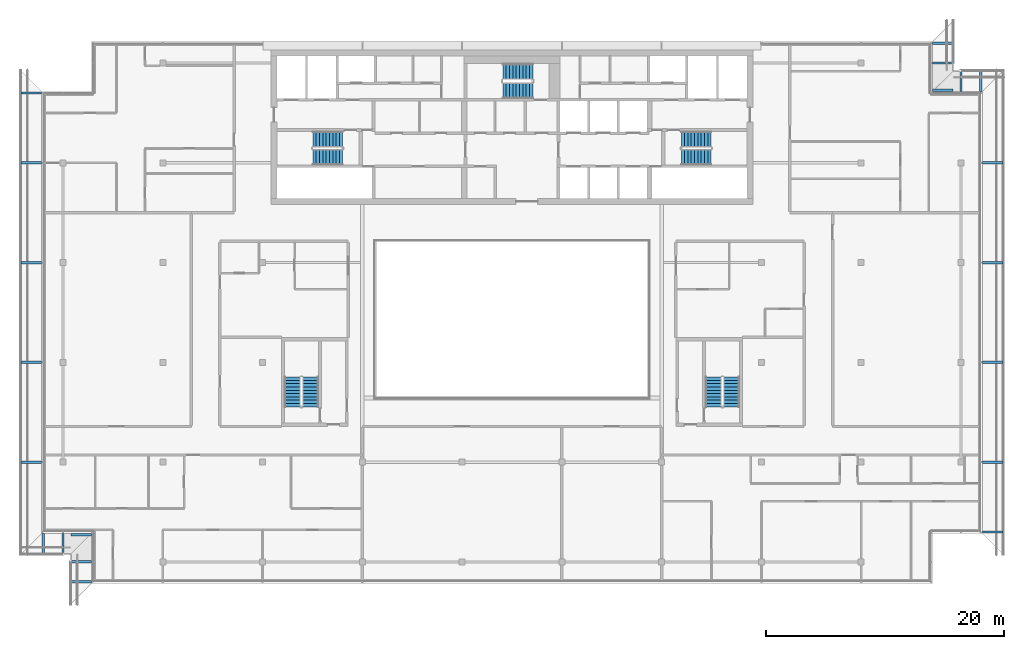
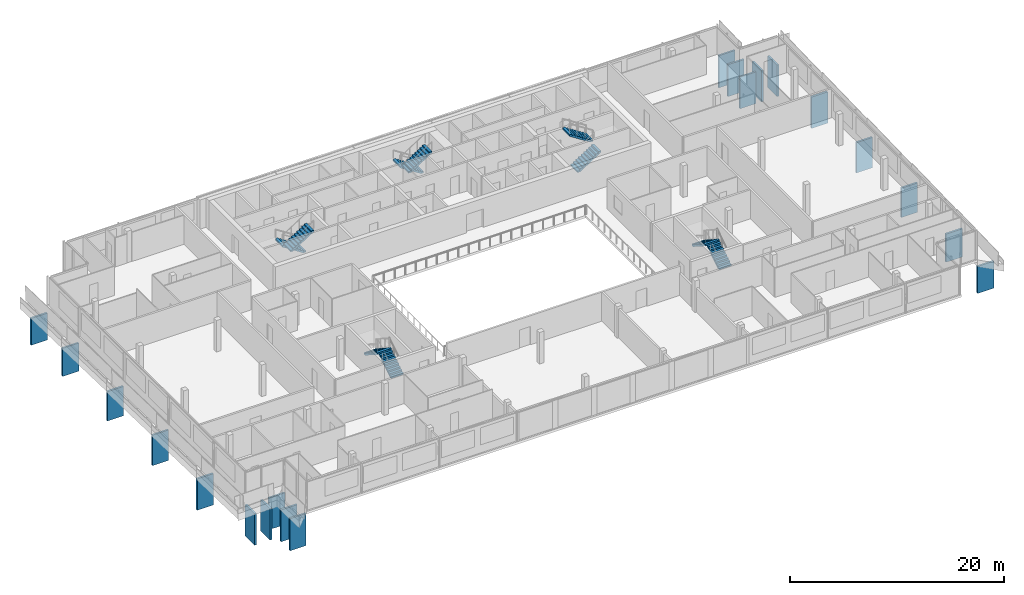
# One storey, part 22 of 27: 20 discrete accessories, 10 stair flights, 5 elements without a shape of their own.
"""IFC4 building model written with IfcOpenShell, lengths in metres."""

from ifc_helpers import new_model, si_unit, direction, frame, origin, origin_2d, place, context, subcontext, project, spatial, polyline, rectangle, outline, extrude, material, type_object, element, aggregate, save


model = new_model("IFC4")

# Units and contexts
model_context = context("Model", 3, precision=1e-05, world=origin(), true_north=direction((0.0, 1.0)))
body_context = subcontext(model_context, "Body", "Model", "MODEL_VIEW")
ifc_project = project(units=[si_unit("LENGTHUNIT", "METRE"), si_unit("AREAUNIT", "SQUARE_METRE"), si_unit("VOLUMEUNIT", "CUBIC_METRE"), si_unit("PLANEANGLEUNIT", "RADIAN"), si_unit("MASSUNIT", "GRAM", prefix="KILO")], contexts=[model_context])

# Site, building, storey
site_placement = place(None, origin())
site = spatial("IfcSite", under=ifc_project, at=site_placement, CompositionType="ELEMENT")
building_placement = place(site_placement, origin())
building = spatial("IfcBuilding", under=site, at=building_placement, Name="Saffron Gate Tower", CompositionType="ELEMENT")
storey_placement = place(building_placement, frame((0.0, 0.0, 267.14990234375)))
storey = spatial("IfcBuildingStorey", under=building, at=storey_placement, Name="L64", CompositionType="ELEMENT", Elevation=267.14990234375)

# Stair, stair flights
ifc_material = material(Name="Concrete C40", Category="concrete")
stair_type = type_object("IfcStairType", Name="ST7 Stair 1350 wide, 20 risers of 180", PredefinedType="HALF_TURN_STAIR", material=ifc_material)
stair_1_placement = place(storey_placement, origin())
stair_1 = element("IfcStair", 1, at=stair_1_placement, inside=storey, type_object=stair_type, Name="L64 Exit stair A", PredefinedType="HALF_TURN_STAIR")
stair_flight_type = type_object("IfcStairFlightType", Name="SF3 Stair flight 1350 wide, riser 180 going 280", PredefinedType="STRAIGHT", material=ifc_material)
stair_flight_1_placement = place(storey_placement, frame((73.35009765625, 67.375, 0.0), z_axis=(0.0, 0.0, 1.0), x_axis=(-1.0, 0.0, 0.0)))
stair_flight_1 = element("IfcStairFlight", 2, at=stair_flight_1_placement, type_object=stair_flight_type, Name="ST-A flight 1", NumberOfRisers=10, NumberOfTreads=9, PredefinedType="STRAIGHT", RiserHeight=0.18, TreadLength=0.28, context=body_context, shape_type="SweptSolid", body=[
    extrude(outline(polyline([(0.0, 0.0), (0.0, 0.179931640625), (0.280029296875, 0.179931640625), (0.280029296875, 0.360107421875), (0.56005859375, 0.360107421875), (0.56005859375, 0.5400390625), (0.840087890625, 0.5400390625), (0.840087890625, 0.719970703125), (1.1201171875, 0.719970703125), (1.1201171875, 0.89990234375), (1.39990234375, 0.89990234375), (1.39990234375, 1.080078125), (1.679931640625, 1.080078125), (1.679931640625, 1.260009765625), (1.9599609375, 1.260009765625), (1.9599609375, 1.43994140625), (2.239990234375, 1.43994140625), (2.239990234375, 1.6201171875), (2.52001953125, 1.6201171875), (2.52001953125, 1.800048828125), (2.52001953125, 1.44189453125), (0.277099609375, 0.0), (0.0, 0.0)])), frame((0.0, 0.675048828125, 0.0), z_axis=(0.0, -1.0, 0.0), x_axis=(1.0, 0.0, 0.0)), (0.0, 0.0, 1.0), 1.35009765625),
])
stair_flight_2_placement = place(storey_placement, frame((70.830078125, 65.875, 1.800048828125), z_axis=(0.0, 0.0, 1.0), x_axis=(1.0, 0.0, 0.0)))
stair_flight_2 = element("IfcStairFlight", 3, at=stair_flight_2_placement, type_object=stair_flight_type, Name="ST-A flight 2", NumberOfRisers=10, NumberOfTreads=9, PredefinedType="STRAIGHT", RiserHeight=0.18, TreadLength=0.28, context=body_context, shape_type="SweptSolid", body=[
    extrude(outline(polyline([(0.0, 0.0), (0.0, 0.179931640625), (0.280029296875, 0.179931640625), (0.280029296875, 0.360107421875), (0.56005859375, 0.360107421875), (0.56005859375, 0.5400390625), (0.840087890625, 0.5400390625), (0.840087890625, 0.719970703125), (1.1201171875, 0.719970703125), (1.1201171875, 0.89990234375), (1.39990234375, 0.89990234375), (1.39990234375, 1.080078125), (1.679931640625, 1.080078125), (1.679931640625, 1.260009765625), (1.9599609375, 1.260009765625), (1.9599609375, 1.43994140625), (2.239990234375, 1.43994140625), (2.239990234375, 1.6201171875), (2.52001953125, 1.6201171875), (2.52001953125, 1.800048828125), (2.52001953125, 1.44189453125), (0.277099609375, 0.0), (0.0, 0.0)])), frame((0.0, 0.675048828125, 0.0), z_axis=(0.0, -1.0, 0.0), x_axis=(1.0, 0.0, 0.0)), (0.0, 0.0, 1.0), 1.35009765625),
])
aggregate(stair_1, [stair_flight_1, stair_flight_2])

stair_2_placement = place(storey_placement, origin())
stair_2 = element("IfcStair", 4, at=stair_2_placement, inside=storey, type_object=stair_type, Name="L64 Exit stair B", PredefinedType="HALF_TURN_STAIR")
stair_flight_3_placement = place(storey_placement, frame((101.85009765625, 65.875, 0.0), z_axis=(0.0, 0.0, 1.0), x_axis=(1.0, 0.0, 0.0)))
stair_flight_3 = element("IfcStairFlight", 5, at=stair_flight_3_placement, type_object=stair_flight_type, Name="ST-B flight 1", NumberOfRisers=10, NumberOfTreads=9, PredefinedType="STRAIGHT", RiserHeight=0.18, TreadLength=0.28, context=body_context, shape_type="SweptSolid", body=[
    extrude(outline(polyline([(0.0, 0.0), (0.0, 0.179931640625), (0.280029296875, 0.179931640625), (0.280029296875, 0.360107421875), (0.56005859375, 0.360107421875), (0.56005859375, 0.5400390625), (0.840087890625, 0.5400390625), (0.840087890625, 0.719970703125), (1.1201171875, 0.719970703125), (1.1201171875, 0.89990234375), (1.39990234375, 0.89990234375), (1.39990234375, 1.080078125), (1.679931640625, 1.080078125), (1.679931640625, 1.260009765625), (1.9599609375, 1.260009765625), (1.9599609375, 1.43994140625), (2.239990234375, 1.43994140625), (2.239990234375, 1.6201171875), (2.52001953125, 1.6201171875), (2.52001953125, 1.800048828125), (2.52001953125, 1.44189453125), (0.277099609375, 0.0), (0.0, 0.0)])), frame((0.0, 0.675048828125, 0.0), z_axis=(0.0, -1.0, 0.0), x_axis=(1.0, 0.0, 0.0)), (0.0, 0.0, 1.0), 1.35009765625),
])
stair_flight_4_placement = place(storey_placement, frame((104.3701171875, 67.375, 1.800048828125), z_axis=(0.0, 0.0, 1.0), x_axis=(-1.0, 0.0, 0.0)))
stair_flight_4 = element("IfcStairFlight", 6, at=stair_flight_4_placement, type_object=stair_flight_type, Name="ST-B flight 2", NumberOfRisers=10, NumberOfTreads=9, PredefinedType="STRAIGHT", RiserHeight=0.18, TreadLength=0.28, context=body_context, shape_type="SweptSolid", body=[
    extrude(outline(polyline([(0.0, 0.0), (0.0, 0.179931640625), (0.280029296875, 0.179931640625), (0.280029296875, 0.360107421875), (0.56005859375, 0.360107421875), (0.56005859375, 0.5400390625), (0.840087890625, 0.5400390625), (0.840087890625, 0.719970703125), (1.1201171875, 0.719970703125), (1.1201171875, 0.89990234375), (1.39990234375, 0.89990234375), (1.39990234375, 1.080078125), (1.679931640625, 1.080078125), (1.679931640625, 1.260009765625), (1.9599609375, 1.260009765625), (1.9599609375, 1.43994140625), (2.239990234375, 1.43994140625), (2.239990234375, 1.6201171875), (2.52001953125, 1.6201171875), (2.52001953125, 1.800048828125), (2.52001953125, 1.44189453125), (0.277099609375, 0.0), (0.0, 0.0)])), frame((0.0, 0.675048828125, 0.0), z_axis=(0.0, -1.0, 0.0), x_axis=(1.0, 0.0, 0.0)), (0.0, 0.0, 1.0), 1.35009765625),
])
aggregate(stair_2, [stair_flight_3, stair_flight_4])

stair_3_placement = place(storey_placement, origin())
stair_3 = element("IfcStair", 7, at=stair_3_placement, inside=storey, type_object=stair_type, Name="L64 Exit stair C", PredefinedType="HALF_TURN_STAIR")
stair_flight_5_placement = place(storey_placement, frame((89.35009765625, 73.074951171875, 0.0), z_axis=(0.0, 0.0, 1.0), x_axis=(-1.0, 0.0, 0.0)))
stair_flight_5 = element("IfcStairFlight", 8, at=stair_flight_5_placement, type_object=stair_flight_type, Name="ST-C flight 1", NumberOfRisers=10, NumberOfTreads=9, PredefinedType="STRAIGHT", RiserHeight=0.18, TreadLength=0.28, context=body_context, shape_type="SweptSolid", body=[
    extrude(outline(polyline([(0.0, 0.0), (0.0, 0.179931640625), (0.280029296875, 0.179931640625), (0.280029296875, 0.360107421875), (0.56005859375, 0.360107421875), (0.56005859375, 0.5400390625), (0.840087890625, 0.5400390625), (0.840087890625, 0.719970703125), (1.1201171875, 0.719970703125), (1.1201171875, 0.89990234375), (1.39990234375, 0.89990234375), (1.39990234375, 1.080078125), (1.679931640625, 1.080078125), (1.679931640625, 1.260009765625), (1.9599609375, 1.260009765625), (1.9599609375, 1.43994140625), (2.239990234375, 1.43994140625), (2.239990234375, 1.6201171875), (2.52001953125, 1.6201171875), (2.52001953125, 1.800048828125), (2.52001953125, 1.44189453125), (0.277099609375, 0.0), (0.0, 0.0)])), frame((0.0, 0.675048828125, 0.0), z_axis=(0.0, -1.0, 0.0), x_axis=(1.0, 0.0, 0.0)), (0.0, 0.0, 1.0), 1.35009765625),
])
stair_flight_6_placement = place(storey_placement, frame((86.830078125, 71.47509765625, 1.800048828125), z_axis=(0.0, 0.0, 1.0), x_axis=(1.0, 0.0, 0.0)))
stair_flight_6 = element("IfcStairFlight", 9, at=stair_flight_6_placement, type_object=stair_flight_type, Name="ST-C flight 2", NumberOfRisers=10, NumberOfTreads=9, PredefinedType="STRAIGHT", RiserHeight=0.18, TreadLength=0.28, context=body_context, shape_type="SweptSolid", body=[
    extrude(outline(polyline([(0.0, 0.0), (0.0, 0.179931640625), (0.280029296875, 0.179931640625), (0.280029296875, 0.360107421875), (0.56005859375, 0.360107421875), (0.56005859375, 0.5400390625), (0.840087890625, 0.5400390625), (0.840087890625, 0.719970703125), (1.1201171875, 0.719970703125), (1.1201171875, 0.89990234375), (1.39990234375, 0.89990234375), (1.39990234375, 1.080078125), (1.679931640625, 1.080078125), (1.679931640625, 1.260009765625), (1.9599609375, 1.260009765625), (1.9599609375, 1.43994140625), (2.239990234375, 1.43994140625), (2.239990234375, 1.6201171875), (2.52001953125, 1.6201171875), (2.52001953125, 1.800048828125), (2.52001953125, 1.44189453125), (0.277099609375, 0.0), (0.0, 0.0)])), frame((0.0, 0.675048828125, 0.0), z_axis=(0.0, -1.0, 0.0), x_axis=(1.0, 0.0, 0.0)), (0.0, 0.0, 1.0), 1.35009765625),
])
aggregate(stair_3, [stair_flight_5, stair_flight_6])

stair_4_placement = place(storey_placement, origin())
stair_4 = element("IfcStair", 10, at=stair_4_placement, inside=storey, type_object=stair_type, Name="L64 Exit stair D", PredefinedType="HALF_TURN_STAIR")
stair_flight_7_placement = place(storey_placement, frame((70.625, 44.85009765625, 0.0), z_axis=(0.0, 0.0, 1.0), x_axis=(0.0, 1.0, 0.0)))
stair_flight_7 = element("IfcStairFlight", 11, at=stair_flight_7_placement, type_object=stair_flight_type, Name="ST-D flight 1", NumberOfRisers=10, NumberOfTreads=9, PredefinedType="STRAIGHT", RiserHeight=0.18, TreadLength=0.28, context=body_context, shape_type="SweptSolid", body=[
    extrude(outline(polyline([(0.0, 0.0), (0.0, 0.179931640625), (0.280029296875, 0.179931640625), (0.280029296875, 0.360107421875), (0.56005859375, 0.360107421875), (0.56005859375, 0.5400390625), (0.840087890625, 0.5400390625), (0.840087890625, 0.719970703125), (1.1201171875, 0.719970703125), (1.1201171875, 0.89990234375), (1.39990234375, 0.89990234375), (1.39990234375, 1.080078125), (1.679931640625, 1.080078125), (1.679931640625, 1.260009765625), (1.9599609375, 1.260009765625), (1.9599609375, 1.43994140625), (2.239990234375, 1.43994140625), (2.239990234375, 1.6201171875), (2.52001953125, 1.6201171875), (2.52001953125, 1.800048828125), (2.52001953125, 1.44189453125), (0.277099609375, 0.0), (0.0, 0.0)])), frame((0.0, 0.675048828125, 0.0), z_axis=(0.0, -1.0, 0.0), x_axis=(1.0, 0.0, 0.0)), (0.0, 0.0, 1.0), 1.35009765625),
])
stair_flight_8_placement = place(storey_placement, frame((69.125, 47.3701171875, 1.800048828125), z_axis=(0.0, 0.0, 1.0), x_axis=(0.0, -1.0, 0.0)))
stair_flight_8 = element("IfcStairFlight", 12, at=stair_flight_8_placement, type_object=stair_flight_type, Name="ST-D flight 2", NumberOfRisers=10, NumberOfTreads=9, PredefinedType="STRAIGHT", RiserHeight=0.18, TreadLength=0.28, context=body_context, shape_type="SweptSolid", body=[
    extrude(outline(polyline([(0.0, 0.0), (0.0, 0.179931640625), (0.280029296875, 0.179931640625), (0.280029296875, 0.360107421875), (0.56005859375, 0.360107421875), (0.56005859375, 0.5400390625), (0.840087890625, 0.5400390625), (0.840087890625, 0.719970703125), (1.1201171875, 0.719970703125), (1.1201171875, 0.89990234375), (1.39990234375, 0.89990234375), (1.39990234375, 1.080078125), (1.679931640625, 1.080078125), (1.679931640625, 1.260009765625), (1.9599609375, 1.260009765625), (1.9599609375, 1.43994140625), (2.239990234375, 1.43994140625), (2.239990234375, 1.6201171875), (2.52001953125, 1.6201171875), (2.52001953125, 1.800048828125), (2.52001953125, 1.44189453125), (0.277099609375, 0.0), (0.0, 0.0)])), frame((0.0, 0.675048828125, 0.0), z_axis=(0.0, -1.0, 0.0), x_axis=(1.0, 0.0, 0.0)), (0.0, 0.0, 1.0), 1.35009765625),
])
aggregate(stair_4, [stair_flight_7, stair_flight_8])

stair_5_placement = place(storey_placement, origin())
stair_5 = element("IfcStair", 13, at=stair_5_placement, inside=storey, type_object=stair_type, Name="L64 Exit stair E", PredefinedType="HALF_TURN_STAIR")
stair_flight_9_placement = place(storey_placement, frame((106.074951171875, 44.85009765625, 0.0), z_axis=(0.0, 0.0, 1.0), x_axis=(0.0, 1.0, 0.0)))
stair_flight_9 = element("IfcStairFlight", 14, at=stair_flight_9_placement, type_object=stair_flight_type, Name="ST-E flight 1", NumberOfRisers=10, NumberOfTreads=9, PredefinedType="STRAIGHT", RiserHeight=0.18, TreadLength=0.28, context=body_context, shape_type="SweptSolid", body=[
    extrude(outline(polyline([(0.0, 0.0), (0.0, 0.179931640625), (0.280029296875, 0.179931640625), (0.280029296875, 0.360107421875), (0.56005859375, 0.360107421875), (0.56005859375, 0.5400390625), (0.840087890625, 0.5400390625), (0.840087890625, 0.719970703125), (1.1201171875, 0.719970703125), (1.1201171875, 0.89990234375), (1.39990234375, 0.89990234375), (1.39990234375, 1.080078125), (1.679931640625, 1.080078125), (1.679931640625, 1.260009765625), (1.9599609375, 1.260009765625), (1.9599609375, 1.43994140625), (2.239990234375, 1.43994140625), (2.239990234375, 1.6201171875), (2.52001953125, 1.6201171875), (2.52001953125, 1.800048828125), (2.52001953125, 1.44189453125), (0.277099609375, 0.0), (0.0, 0.0)])), frame((0.0, 0.675048828125, 0.0), z_axis=(0.0, -1.0, 0.0), x_axis=(1.0, 0.0, 0.0)), (0.0, 0.0, 1.0), 1.35009765625),
])
stair_flight_10_placement = place(storey_placement, frame((104.574951171875, 47.3701171875, 1.800048828125), z_axis=(0.0, 0.0, 1.0), x_axis=(0.0, -1.0, 0.0)))
stair_flight_10 = element("IfcStairFlight", 15, at=stair_flight_10_placement, type_object=stair_flight_type, Name="ST-E flight 2", NumberOfRisers=10, NumberOfTreads=9, PredefinedType="STRAIGHT", RiserHeight=0.18, TreadLength=0.28, context=body_context, shape_type="SweptSolid", body=[
    extrude(outline(polyline([(0.0, 0.0), (0.0, 0.179931640625), (0.280029296875, 0.179931640625), (0.280029296875, 0.360107421875), (0.56005859375, 0.360107421875), (0.56005859375, 0.5400390625), (0.840087890625, 0.5400390625), (0.840087890625, 0.719970703125), (1.1201171875, 0.719970703125), (1.1201171875, 0.89990234375), (1.39990234375, 0.89990234375), (1.39990234375, 1.080078125), (1.679931640625, 1.080078125), (1.679931640625, 1.260009765625), (1.9599609375, 1.260009765625), (1.9599609375, 1.43994140625), (2.239990234375, 1.43994140625), (2.239990234375, 1.6201171875), (2.52001953125, 1.6201171875), (2.52001953125, 1.800048828125), (2.52001953125, 1.44189453125), (0.277099609375, 0.0), (0.0, 0.0)])), frame((0.0, 0.675048828125, 0.0), z_axis=(0.0, -1.0, 0.0), x_axis=(1.0, 0.0, 0.0)), (0.0, 0.0, 1.0), 1.35009765625),
])
aggregate(stair_5, [stair_flight_9, stair_flight_10])

# Discrete accessories
discrete_accessory_1_placement = place(storey_placement, frame((47.125, 71.280029296875, -3.8798828125), z_axis=(0.0, 0.0, 1.0), x_axis=(0.0, -1.0, 0.0)))
element("IfcDiscreteAccessory", 16, at=discrete_accessory_1_placement, inside=storey, Name="LEDGE rib", PredefinedType="BRACKET", context=body_context, shape_type="SweptSolid", body=[
    extrude(rectangle(XDim=0.199951171875, YDim=1.75, at=origin_2d()), origin(), (0.0, 0.0, 1.0), 3.0712890625),
])
discrete_accessory_2_placement = place(storey_placement, frame((47.125, 65.39990234375, -3.8798828125), z_axis=(0.0, 0.0, 1.0), x_axis=(0.0, -1.0, 0.0)))
element("IfcDiscreteAccessory", 17, at=discrete_accessory_2_placement, inside=storey, Name="LEDGE rib", PredefinedType="BRACKET", context=body_context, shape_type="SweptSolid", body=[
    extrude(rectangle(XDim=0.199951171875, YDim=1.75, at=origin_2d()), origin(), (0.0, 0.0, 1.0), 3.215576171875),
])
discrete_accessory_3_placement = place(storey_placement, frame((47.125, 57.0, -3.8798828125), z_axis=(0.0, 0.0, 1.0), x_axis=(0.0, -1.0, 0.0)))
element("IfcDiscreteAccessory", 18, at=discrete_accessory_3_placement, inside=storey, Name="LEDGE rib", PredefinedType="BRACKET", context=body_context, shape_type="SweptSolid", body=[
    extrude(rectangle(XDim=0.199951171875, YDim=1.75, at=origin_2d()), origin(), (0.0, 0.0, 1.0), 3.363037109375),
])
discrete_accessory_4_placement = place(storey_placement, frame((47.125, 48.60009765625, -3.8798828125), z_axis=(0.0, 0.0, 1.0), x_axis=(0.0, -1.0, 0.0)))
element("IfcDiscreteAccessory", 19, at=discrete_accessory_4_placement, inside=storey, Name="LEDGE rib", PredefinedType="BRACKET", context=body_context, shape_type="SweptSolid", body=[
    extrude(rectangle(XDim=0.199951171875, YDim=1.75, at=origin_2d()), origin(), (0.0, 0.0, 1.0), 3.47265625),
])
discrete_accessory_5_placement = place(storey_placement, frame((47.125, 40.199951171875, -3.8798828125), z_axis=(0.0, 0.0, 1.0), x_axis=(0.0, -1.0, 0.0)))
element("IfcDiscreteAccessory", 20, at=discrete_accessory_5_placement, inside=storey, Name="LEDGE rib", PredefinedType="BRACKET", context=body_context, shape_type="SweptSolid", body=[
    extrude(rectangle(XDim=0.199951171875, YDim=1.75, at=origin_2d()), origin(), (0.0, 0.0, 1.0), 3.582275390625),
])
discrete_accessory_6_placement = place(storey_placement, frame((48.1201171875, 33.324951171875, -3.8798828125), z_axis=(0.0, 0.0, 1.0), x_axis=(1.0, 0.0, 0.0)))
element("IfcDiscreteAccessory", 21, at=discrete_accessory_6_placement, inside=storey, Name="LEDGE rib", PredefinedType="BRACKET", context=body_context, shape_type="SweptSolid", body=[
    extrude(rectangle(XDim=0.199951171875, YDim=1.75, at=origin_2d()), origin(), (0.0, 0.0, 1.0), 3.622802734375),
])
discrete_accessory_7_placement = place(storey_placement, frame((49.800048828125, 33.324951171875, -3.8798828125), z_axis=(0.0, 0.0, 1.0), x_axis=(1.0, 0.0, 0.0)))
element("IfcDiscreteAccessory", 22, at=discrete_accessory_7_placement, inside=storey, Name="LEDGE rib", PredefinedType="BRACKET", context=body_context, shape_type="SweptSolid", body=[
    extrude(rectangle(XDim=0.199951171875, YDim=1.75, at=origin_2d()), origin(), (0.0, 0.0, 1.0), 3.580322265625),
])
discrete_accessory_8_placement = place(storey_placement, frame((51.324951171875, 34.080078125, -3.8798828125), z_axis=(0.0, 0.0, 1.0), x_axis=(0.0, -1.0, 0.0)))
element("IfcDiscreteAccessory", 23, at=discrete_accessory_8_placement, inside=storey, Name="LEDGE rib", PredefinedType="BRACKET", context=body_context, shape_type="SweptSolid", body=[
    extrude(rectangle(XDim=0.199951171875, YDim=1.75, at=origin_2d()), origin(), (0.0, 0.0, 1.0), 3.62109375),
])
discrete_accessory_9_placement = place(storey_placement, frame((51.324951171875, 31.800048828125, -3.8798828125), z_axis=(0.0, 0.0, 1.0), x_axis=(0.0, -1.0, 0.0)))
element("IfcDiscreteAccessory", 24, at=discrete_accessory_9_placement, inside=storey, Name="LEDGE rib", PredefinedType="BRACKET", context=body_context, shape_type="SweptSolid", body=[
    extrude(rectangle(XDim=0.199951171875, YDim=1.75, at=origin_2d()), origin(), (0.0, 0.0, 1.0), 3.65234375),
])
discrete_accessory_10_placement = place(storey_placement, frame((51.324951171875, 30.1201171875, -3.8798828125), z_axis=(0.0, 0.0, 1.0), x_axis=(0.0, -1.0, 0.0)))
element("IfcDiscreteAccessory", 25, at=discrete_accessory_10_placement, inside=storey, Name="LEDGE rib", PredefinedType="BRACKET", context=body_context, shape_type="SweptSolid", body=[
    extrude(rectangle(XDim=0.199951171875, YDim=1.75, at=origin_2d()), origin(), (0.0, 0.0, 1.0), 3.66650390625),
])
discrete_accessory_11_placement = place(storey_placement, frame((128.074951171875, 34.320068359375, -3.8798828125), z_axis=(0.0, 0.0, 1.0), x_axis=(0.0, 1.0, 0.0)))
element("IfcDiscreteAccessory", 26, at=discrete_accessory_11_placement, inside=storey, Name="LEDGE rib", PredefinedType="BRACKET", context=body_context, shape_type="SweptSolid", body=[
    extrude(rectangle(XDim=0.199951171875, YDim=1.75, at=origin_2d()), origin(), (0.0, 0.0, 1.0), 3.0712890625),
])
discrete_accessory_12_placement = place(storey_placement, frame((128.074951171875, 40.199951171875, -3.8798828125), z_axis=(0.0, 0.0, 1.0), x_axis=(0.0, 1.0, 0.0)))
element("IfcDiscreteAccessory", 27, at=discrete_accessory_12_placement, inside=storey, Name="LEDGE rib", PredefinedType="BRACKET", context=body_context, shape_type="SweptSolid", body=[
    extrude(rectangle(XDim=0.199951171875, YDim=1.75, at=origin_2d()), origin(), (0.0, 0.0, 1.0), 3.215576171875),
])
discrete_accessory_13_placement = place(storey_placement, frame((128.074951171875, 48.60009765625, -3.8798828125), z_axis=(0.0, 0.0, 1.0), x_axis=(0.0, 1.0, 0.0)))
element("IfcDiscreteAccessory", 28, at=discrete_accessory_13_placement, inside=storey, Name="LEDGE rib", PredefinedType="BRACKET", context=body_context, shape_type="SweptSolid", body=[
    extrude(rectangle(XDim=0.199951171875, YDim=1.75, at=origin_2d()), origin(), (0.0, 0.0, 1.0), 3.363037109375),
])
discrete_accessory_14_placement = place(storey_placement, frame((128.074951171875, 57.0, -3.8798828125), z_axis=(0.0, 0.0, 1.0), x_axis=(0.0, 1.0, 0.0)))
element("IfcDiscreteAccessory", 29, at=discrete_accessory_14_placement, inside=storey, Name="LEDGE rib", PredefinedType="BRACKET", context=body_context, shape_type="SweptSolid", body=[
    extrude(rectangle(XDim=0.199951171875, YDim=1.75, at=origin_2d()), origin(), (0.0, 0.0, 1.0), 3.47265625),
])
discrete_accessory_15_placement = place(storey_placement, frame((128.074951171875, 65.39990234375, -3.8798828125), z_axis=(0.0, 0.0, 1.0), x_axis=(0.0, 1.0, 0.0)))
element("IfcDiscreteAccessory", 30, at=discrete_accessory_15_placement, inside=storey, Name="LEDGE rib", PredefinedType="BRACKET", context=body_context, shape_type="SweptSolid", body=[
    extrude(rectangle(XDim=0.199951171875, YDim=1.75, at=origin_2d()), origin(), (0.0, 0.0, 1.0), 3.582275390625),
])
discrete_accessory_16_placement = place(storey_placement, frame((127.080078125, 72.27490234375, -3.8798828125), z_axis=(0.0, 0.0, 1.0), x_axis=(-1.0, 0.0, 0.0)))
element("IfcDiscreteAccessory", 31, at=discrete_accessory_16_placement, inside=storey, Name="LEDGE rib", PredefinedType="BRACKET", context=body_context, shape_type="SweptSolid", body=[
    extrude(rectangle(XDim=0.199951171875, YDim=1.75, at=origin_2d()), origin(), (0.0, 0.0, 1.0), 3.622802734375),
])
discrete_accessory_17_placement = place(storey_placement, frame((125.39990234375, 72.27490234375, -3.8798828125), z_axis=(0.0, 0.0, 1.0), x_axis=(-1.0, 0.0, 0.0)))
element("IfcDiscreteAccessory", 32, at=discrete_accessory_17_placement, inside=storey, Name="LEDGE rib", PredefinedType="BRACKET", context=body_context, shape_type="SweptSolid", body=[
    extrude(rectangle(XDim=0.199951171875, YDim=1.75, at=origin_2d()), origin(), (0.0, 0.0, 1.0), 3.580322265625),
])
discrete_accessory_18_placement = place(storey_placement, frame((123.875, 71.52001953125, -3.8798828125), z_axis=(0.0, 0.0, 1.0), x_axis=(0.0, 1.0, 0.0)))
element("IfcDiscreteAccessory", 33, at=discrete_accessory_18_placement, inside=storey, Name="LEDGE rib", PredefinedType="BRACKET", context=body_context, shape_type="SweptSolid", body=[
    extrude(rectangle(XDim=0.199951171875, YDim=1.75, at=origin_2d()), origin(), (0.0, 0.0, 1.0), 3.62109375),
])
discrete_accessory_19_placement = place(storey_placement, frame((123.875, 73.800048828125, -3.8798828125), z_axis=(0.0, 0.0, 1.0), x_axis=(0.0, 1.0, 0.0)))
element("IfcDiscreteAccessory", 34, at=discrete_accessory_19_placement, inside=storey, Name="LEDGE rib", PredefinedType="BRACKET", context=body_context, shape_type="SweptSolid", body=[
    extrude(rectangle(XDim=0.199951171875, YDim=1.75, at=origin_2d()), origin(), (0.0, 0.0, 1.0), 3.65234375),
])
discrete_accessory_20_placement = place(storey_placement, frame((123.875, 75.47998046875, -3.8798828125), z_axis=(0.0, 0.0, 1.0), x_axis=(0.0, 1.0, 0.0)))
element("IfcDiscreteAccessory", 35, at=discrete_accessory_20_placement, inside=storey, Name="LEDGE rib", PredefinedType="BRACKET", context=body_context, shape_type="SweptSolid", body=[
    extrude(rectangle(XDim=0.199951171875, YDim=1.75, at=origin_2d()), origin(), (0.0, 0.0, 1.0), 3.66650390625),
])

save(model, "model.ifc")
